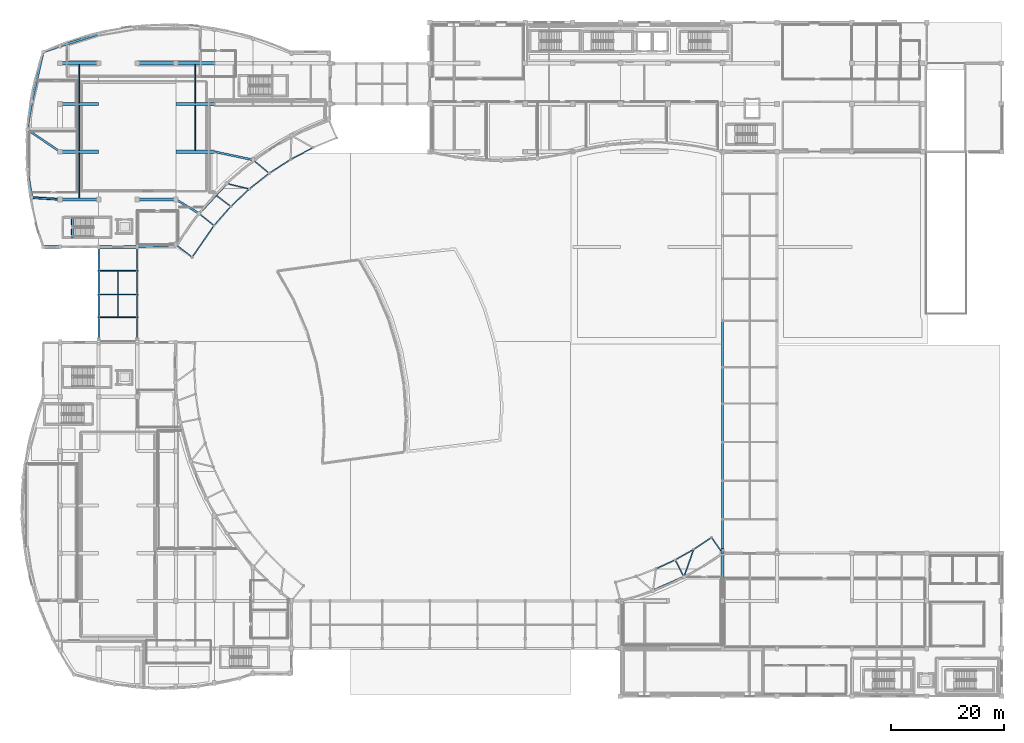
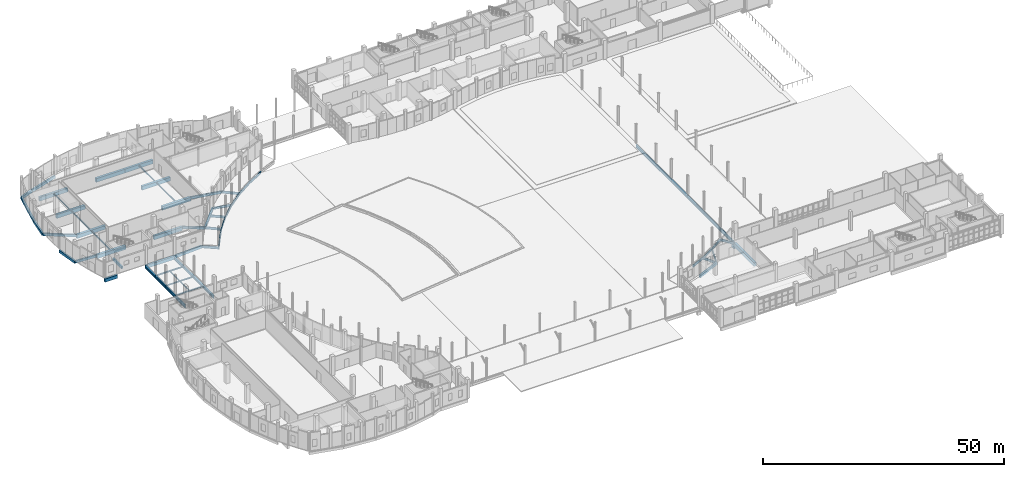
# One storey, part 27 of 97: 67 beams.
"""IFC4 building model written with IfcOpenShell, lengths in metres."""

from ifc_helpers import new_model, si_unit, direction, frame, origin, origin_2d, place, context, subcontext, project, spatial, rectangle, i_section, extrude, material, material_profile, profile_set, type_object, element, save


model = new_model("IFC4")

# Units and contexts
model_context = context("Model", 3, precision=1e-05, world=origin(), true_north=direction((0.0, 1.0)))
body_context = subcontext(model_context, "Body", "Model", "MODEL_VIEW")
ifc_project = project(units=[si_unit("LENGTHUNIT", "METRE"), si_unit("AREAUNIT", "SQUARE_METRE"), si_unit("VOLUMEUNIT", "CUBIC_METRE"), si_unit("PLANEANGLEUNIT", "RADIAN"), si_unit("MASSUNIT", "GRAM", prefix="KILO")], contexts=[model_context])

# Site, building, storey
site_placement = place(None, origin())
site = spatial("IfcSite", under=ifc_project, at=site_placement, CompositionType="ELEMENT")
building_placement = place(site_placement, origin())
building = spatial("IfcBuilding", under=site, at=building_placement, Name="Kisaragi Civic Commons", CompositionType="ELEMENT")
storey_placement = place(building_placement, origin())
storey = spatial("IfcBuildingStorey", under=building, at=storey_placement, Name="L00", CompositionType="ELEMENT", Elevation=0.0)

# Beams
ifc_material_1 = material(Name="Concrete Fc36", Category="concrete")
ifc_material_profile_1 = material_profile(ifc_material_1, rectangle(XDim=0.550048828125, YDim=0.85009765625, at=origin_2d()), Name="RC-550x850", Category="concrete")
ifc_profile_set_1 = profile_set([ifc_material_profile_1], Name="Concrete Fc36")
beam_type_1 = type_object("IfcBeamType", Name="CB-01", PredefinedType="BEAM", material=ifc_profile_set_1)
beam_1_placement = place(storey_placement, frame((123.60009765625, 25.199951171875, -1.530029296875), z_axis=(0.0, 1.0, 0.0), x_axis=(-1.0, 0.0, 0.0)))
element("IfcBeam", 1, at=beam_1_placement, inside=storey, type_object=beam_type_1, Name="BR-V4-V3 L00 seismic corbel 101", PredefinedType="BEAM", context=body_context, shape_type="SweptSolid", body=[
    extrude(rectangle(XDim=0.550048828125, YDim=0.85009765625, at=origin_2d()), origin(), (0.0, 0.0, 1.0), 0.8701171875),
])
ifc_material_profile_2 = material_profile(ifc_material_1, rectangle(XDim=0.550048828125, YDim=0.949951171875, at=origin_2d()), Name="RC-550x950", Category="concrete")
ifc_profile_set_2 = profile_set([ifc_material_profile_2], Name="Concrete Fc36")
beam_type_2 = type_object("IfcBeamType", Name="G-01", PredefinedType="BEAM", material=ifc_profile_set_2)
for number, where, z_axis, x_axis, name in (
    (2, (6.800048828125, 87.60009765625, -0.800048828125), (1.0, 0.0, 0.0), (0.0, 1.0, 0.0), "L00 girder G-01 56"),
    (3, (20.39990234375, 87.60009765625, -0.800048828125), (1.0, 0.0, 0.0), (0.0, 1.0, 0.0), "L00 girder G-01 57"),
    (4, (6.800048828125, 96.0, -0.800048828125), (1.0, 0.0, 0.0), (0.0, 1.0, 0.0), "L00 girder G-01 58"),
    (5, (27.199951171875, 96.0, -0.800048828125), (1.0, 0.0, 0.0), (0.0, 1.0, 0.0), "L00 girder G-01 59"),
    (6, (6.800048828125, 104.39990234375, -0.800048828125), (1.0, 0.0, 0.0), (0.0, 1.0, 0.0), "L00 girder G-01 60"),
    (7, (27.199951171875, 104.39990234375, -0.800048828125), (1.0, 0.0, 0.0), (0.0, 1.0, 0.0), "L00 girder G-01 61"),
    (8, (6.800048828125, 111.60009765625, -0.800048828125), (1.0, 0.0, 0.0), (0.0, 1.0, 0.0), "L00 girder G-01 65"),
    (9, (20.39990234375, 111.60009765625, -0.800048828125), (1.0, 0.0, 0.0), (0.0, 1.0, 0.0), "L00 girder G-01 66"),
    (10, (27.199951171875, 111.60009765625, -0.800048828125), (1.0, 0.0, 0.0), (0.0, 1.0, 0.0), "L00 girder G-01 67"),
):
    element("IfcBeam", number, at=place(storey_placement, frame(where, z_axis=z_axis, x_axis=x_axis)), inside=storey, type_object=beam_type_2, Name=name, PredefinedType="BEAM", context=body_context, shape_type="SweptSolid", body=[
        extrude(rectangle(XDim=0.550048828125, YDim=0.949951171875, at=origin_2d()), origin(), (0.0, 0.0, 1.0), 6.800048828125),
    ])
beam_2_placement = place(storey_placement, frame((123.60009765625, 16.800048828125, -0.800048828125), z_axis=(0.0, 1.0, 0.0), x_axis=(-1.0, 0.0, 0.0)))
element("IfcBeam", 11, at=beam_2_placement, inside=storey, type_object=beam_type_2, Name="L00 girder G-01 101", PredefinedType="BEAM", context=body_context, shape_type="SweptSolid", body=[
    extrude(rectangle(XDim=0.550048828125, YDim=0.949951171875, at=origin_2d()), origin(), (0.0, 0.0, 1.0), 8.39990234375),
])
ifc_material_2 = material(Name="Steel SN490 (SN490B)", Category="steel")
ifc_material_profile_3 = material_profile(ifc_material_2, i_section(OverallWidth=0.300048828125, OverallDepth=0.699951171875, WebThickness=0.012939453125, FlangeThickness=0.02392578125, FilletRadius=0.01806640625, at=origin_2d()), Name="H-700x300x13x24", Category="steel")
ifc_profile_set_3 = profile_set([ifc_material_profile_3], Name="Steel SN490 (SN490B)")
beam_type_3 = type_object("IfcBeamType", Name="G-09", PredefinedType="BEAM", material=ifc_profile_set_3)
for number, where, z_axis, x_axis, name in (
    (12, (13.60009765625, 79.199951171875, -0.68994140625), (0.0, -1.0, 0.0), (1.0, 0.0, 0.0), "BR-V2-V1 L00 bridge girder 46"),
    (13, (13.60009765625, 75.0, -0.68994140625), (0.0, -1.0, 0.0), (1.0, 0.0, 0.0), "BR-V2-V1 L00 bridge girder 47"),
):
    element("IfcBeam", number, at=place(storey_placement, frame(where, z_axis=z_axis, x_axis=x_axis)), inside=storey, type_object=beam_type_3, Name=name, PredefinedType="BEAM", context=body_context, shape_type="SweptSolid", body=[
        extrude(i_section(OverallWidth=0.300048828125, OverallDepth=0.699951171875, WebThickness=0.012939453125, FlangeThickness=0.02392578125, FilletRadius=0.01806640625, at=origin_2d()), origin(), (0.0, 0.0, 1.0), 4.199951171875),
    ])
beam_3_placement = place(storey_placement, frame((13.60009765625, 70.800048828125, -0.68994140625), z_axis=(0.0, -1.0, 0.0), x_axis=(1.0, 0.0, 0.0)))
element("IfcBeam", 14, at=beam_3_placement, inside=storey, type_object=beam_type_3, Name="BR-V2-V1 L00 bridge girder 48", PredefinedType="BEAM", context=body_context, shape_type="SweptSolid", body=[
    extrude(i_section(OverallWidth=0.300048828125, OverallDepth=0.699951171875, WebThickness=0.012939453125, FlangeThickness=0.02392578125, FilletRadius=0.01806640625, at=origin_2d()), origin(), (0.0, 0.0, 1.0), 4.0),
])
beam_4_placement = place(storey_placement, frame((13.60009765625, 66.800048828125, -0.68994140625), z_axis=(0.0, -1.0, 0.0), x_axis=(1.0, 0.0, 0.0)))
element("IfcBeam", 15, at=beam_4_placement, inside=storey, type_object=beam_type_3, Name="BR-V2-V1 L00 bridge girder 49", PredefinedType="BEAM", context=body_context, shape_type="SweptSolid", body=[
    extrude(i_section(OverallWidth=0.300048828125, OverallDepth=0.699951171875, WebThickness=0.012939453125, FlangeThickness=0.02392578125, FilletRadius=0.01806640625, at=origin_2d()), origin(), (0.0, 0.0, 1.0), 4.25),
])
for number, where, z_axis, x_axis, name in (
    (16, (20.39990234375, 79.199951171875, -0.68994140625), (0.0, -1.0, 0.0), (1.0, 0.0, 0.0), "BR-V2-V1 L00 bridge girder 51"),
    (17, (20.39990234375, 75.0, -0.68994140625), (0.0, -1.0, 0.0), (1.0, 0.0, 0.0), "BR-V2-V1 L00 bridge girder 52"),
):
    element("IfcBeam", number, at=place(storey_placement, frame(where, z_axis=z_axis, x_axis=x_axis)), inside=storey, type_object=beam_type_3, Name=name, PredefinedType="BEAM", context=body_context, shape_type="SweptSolid", body=[
        extrude(i_section(OverallWidth=0.300048828125, OverallDepth=0.699951171875, WebThickness=0.012939453125, FlangeThickness=0.02392578125, FilletRadius=0.01806640625, at=origin_2d()), origin(), (0.0, 0.0, 1.0), 4.199951171875),
    ])
beam_5_placement = place(storey_placement, frame((20.39990234375, 70.800048828125, -0.68994140625), z_axis=(0.0, -1.0, 0.0), x_axis=(1.0, 0.0, 0.0)))
element("IfcBeam", 18, at=beam_5_placement, inside=storey, type_object=beam_type_3, Name="BR-V2-V1 L00 bridge girder 53", PredefinedType="BEAM", context=body_context, shape_type="SweptSolid", body=[
    extrude(i_section(OverallWidth=0.300048828125, OverallDepth=0.699951171875, WebThickness=0.012939453125, FlangeThickness=0.02392578125, FilletRadius=0.01806640625, at=origin_2d()), origin(), (0.0, 0.0, 1.0), 4.0),
])
beam_6_placement = place(storey_placement, frame((20.39990234375, 66.800048828125, -0.68994140625), z_axis=(0.0, -1.0, 0.0), x_axis=(1.0, 0.0, 0.0)))
element("IfcBeam", 19, at=beam_6_placement, inside=storey, type_object=beam_type_3, Name="BR-V2-V1 L00 bridge girder 54", PredefinedType="BEAM", context=body_context, shape_type="SweptSolid", body=[
    extrude(i_section(OverallWidth=0.300048828125, OverallDepth=0.699951171875, WebThickness=0.012939453125, FlangeThickness=0.02392578125, FilletRadius=0.01806640625, at=origin_2d()), origin(), (0.0, 0.0, 1.0), 4.25),
])
beam_7_placement = place(storey_placement, frame((123.60009765625, 66.199951171875, -0.68994140625), z_axis=(0.0, -1.0, 0.0), x_axis=(1.0, 0.0, 0.0)))
element("IfcBeam", 20, at=beam_7_placement, inside=storey, type_object=beam_type_3, Name="BR-V4-V3 L00 bridge girder 95", PredefinedType="BEAM", context=body_context, shape_type="SweptSolid", body=[
    extrude(i_section(OverallWidth=0.300048828125, OverallDepth=0.699951171875, WebThickness=0.012939453125, FlangeThickness=0.02392578125, FilletRadius=0.01806640625, at=origin_2d()), origin(), (0.0, 0.0, 1.0), 8.199951171875),
])
beam_8_placement = place(storey_placement, frame((123.60009765625, 58.0, -0.68994140625), z_axis=(0.0, -1.0, 0.0), x_axis=(1.0, 0.0, 0.0)))
element("IfcBeam", 21, at=beam_8_placement, inside=storey, type_object=beam_type_3, Name="BR-V4-V3 L00 bridge girder 96", PredefinedType="BEAM", context=body_context, shape_type="SweptSolid", body=[
    extrude(i_section(OverallWidth=0.300048828125, OverallDepth=0.699951171875, WebThickness=0.012939453125, FlangeThickness=0.02392578125, FilletRadius=0.01806640625, at=origin_2d()), origin(), (0.0, 0.0, 1.0), 6.39990234375),
])
for number, where, z_axis, x_axis, name in (
    (22, (123.60009765625, 51.60009765625, -0.68994140625), (0.0, -1.0, 0.0), (1.0, 0.0, 0.0), "BR-V4-V3 L00 bridge girder 97"),
    (23, (123.60009765625, 44.800048828125, -0.68994140625), (0.0, -1.0, 0.0), (1.0, 0.0, 0.0), "BR-V4-V3 L00 bridge girder 98"),
    (24, (123.60009765625, 38.0, -0.68994140625), (0.0, -1.0, 0.0), (1.0, 0.0, 0.0), "BR-V4-V3 L00 bridge girder 99"),
):
    element("IfcBeam", number, at=place(storey_placement, frame(where, z_axis=z_axis, x_axis=x_axis)), inside=storey, type_object=beam_type_3, Name=name, PredefinedType="BEAM", context=body_context, shape_type="SweptSolid", body=[
        extrude(i_section(OverallWidth=0.300048828125, OverallDepth=0.699951171875, WebThickness=0.012939453125, FlangeThickness=0.02392578125, FilletRadius=0.01806640625, at=origin_2d()), origin(), (0.0, 0.0, 1.0), 6.800048828125),
    ])
beam_9_placement = place(storey_placement, frame((123.60009765625, 31.199951171875, -0.68994140625), z_axis=(0.0, -1.0, 0.0), x_axis=(1.0, 0.0, 0.0)))
element("IfcBeam", 25, at=beam_9_placement, inside=storey, type_object=beam_type_3, Name="BR-V4-V3 L00 bridge girder 100", PredefinedType="BEAM", context=body_context, shape_type="SweptSolid", body=[
    extrude(i_section(OverallWidth=0.300048828125, OverallDepth=0.699951171875, WebThickness=0.012939453125, FlangeThickness=0.02392578125, FilletRadius=0.01806640625, at=origin_2d()), origin(), (0.0, 0.0, 1.0), 5.849853515625),
])
ifc_material_profile_4 = material_profile(ifc_material_2, i_section(OverallWidth=0.199951171875, OverallDepth=0.60009765625, WebThickness=0.010986328125, FlangeThickness=0.01708984375, FilletRadius=0.012939453125, at=origin_2d()), Name="H-600x200x11x17", Category="steel")
ifc_profile_set_4 = profile_set([ifc_material_profile_4], Name="Steel SN490 (SN490B)")
beam_type_4 = type_object("IfcBeamType", Name="G-10", PredefinedType="BEAM", material=ifc_profile_set_4)
beam_10_placement = place(storey_placement, frame((51.401611328125, 96.698486328125, -0.639892578125), z_axis=(-0.886292072289, -0.463126724125, 0.0), x_axis=(0.463126724125, -0.886292072289, 0.0)))
element("IfcBeam", 26, at=beam_10_placement, inside=storey, type_object=beam_type_4, Name="VER-V2 L00 edge beam 48", PredefinedType="BEAM", context=body_context, shape_type="SweptSolid", body=[
    extrude(i_section(OverallWidth=0.199951171875, OverallDepth=0.60009765625, WebThickness=0.010986328125, FlangeThickness=0.01708984375, FilletRadius=0.012939453125, at=origin_2d()), origin(), (0.0, 0.0, 1.0), 4.478271484375),
])
for number, where, z_axis, x_axis, name in (
    (27, (47.4326171875, 94.62451171875, -0.639892578125), (-0.83990787483, -0.542728994803, 0.0), (0.542728994803, -0.83990787483, 0.0), "VER-V2 L00 edge beam 49"),
    (28, (43.67138671875, 92.194091796875, -0.639892578125), (-0.786375089797, -0.61774931659, 0.0), (0.61774931659, -0.786375089797, 0.0), "VER-V2 L00 edge beam 50"),
):
    element("IfcBeam", number, at=place(storey_placement, frame(where, z_axis=z_axis, x_axis=x_axis)), inside=storey, type_object=beam_type_4, Name=name, PredefinedType="BEAM", context=body_context, shape_type="SweptSolid", body=[
        extrude(i_section(OverallWidth=0.199951171875, OverallDepth=0.60009765625, WebThickness=0.010986328125, FlangeThickness=0.01708984375, FilletRadius=0.012939453125, at=origin_2d()), origin(), (0.0, 0.0, 1.0), 4.47802734375),
    ])
beam_11_placement = place(storey_placement, frame((40.14990234375, 89.427734375, -0.639892578125), z_axis=(-0.726170414707, -0.687514748063, 0.0), x_axis=(0.687514748063, -0.726170414707, 0.0)))
element("IfcBeam", 29, at=beam_11_placement, inside=storey, type_object=beam_type_4, Name="VER-V2 L00 edge beam 51", PredefinedType="BEAM", context=body_context, shape_type="SweptSolid", body=[
    extrude(i_section(OverallWidth=0.199951171875, OverallDepth=0.60009765625, WebThickness=0.010986328125, FlangeThickness=0.01708984375, FilletRadius=0.012939453125, at=origin_2d()), origin(), (0.0, 0.0, 1.0), 4.477783203125),
])
beam_12_placement = place(storey_placement, frame((36.898193359375, 86.34912109375, -0.639892578125), z_axis=(-0.659769637877, -0.751467913444, 0.0), x_axis=(0.751467913444, -0.659769637877, 0.0)))
element("IfcBeam", 30, at=beam_12_placement, inside=storey, type_object=beam_type_4, Name="VER-V2 L00 edge beam 52", PredefinedType="BEAM", context=body_context, shape_type="SweptSolid", body=[
    extrude(i_section(OverallWidth=0.199951171875, OverallDepth=0.60009765625, WebThickness=0.010986328125, FlangeThickness=0.01708984375, FilletRadius=0.012939453125, at=origin_2d()), origin(), (0.0, 0.0, 1.0), 4.478271484375),
])
beam_13_placement = place(storey_placement, frame((33.943603515625, 82.98388671875, -0.639892578125), z_axis=(-0.56851635681, -0.822671958948, 0.0), x_axis=(0.822671958948, -0.56851635681, 0.0)))
element("IfcBeam", 31, at=beam_13_placement, inside=storey, type_object=beam_type_4, Name="VER-V2 L00 edge beam 53", PredefinedType="BEAM", context=body_context, shape_type="SweptSolid", body=[
    extrude(i_section(OverallWidth=0.199951171875, OverallDepth=0.60009765625, WebThickness=0.010986328125, FlangeThickness=0.01708984375, FilletRadius=0.012939453125, at=origin_2d()), origin(), (0.0, 0.0, 1.0), 6.79248046875),
])
beam_14_placement = place(storey_placement, frame((43.67138671875, 92.194091796875, -0.639892578125), z_axis=(-0.771077909259, 0.636740809006, 0.0), x_axis=(-0.636740809006, -0.771077909259, 0.0)))
element("IfcBeam", 32, at=beam_14_placement, inside=storey, type_object=beam_type_4, Name="VER-V2 L00 radial tie 57", PredefinedType="BEAM", context=body_context, shape_type="SweptSolid", body=[
    extrude(i_section(OverallWidth=0.199951171875, OverallDepth=0.60009765625, WebThickness=0.010986328125, FlangeThickness=0.01708984375, FilletRadius=0.012939453125, at=origin_2d()), origin(), (0.0, 0.0, 1.0), 3.723876953125),
])
beam_15_placement = place(storey_placement, frame((40.14990234375, 89.427734375, -0.639892578125), z_axis=(-0.971981302183, 0.235058180472, 0.0), x_axis=(-0.235058180472, -0.971981302183, 0.0)))
element("IfcBeam", 33, at=beam_15_placement, inside=storey, type_object=beam_type_4, Name="VER-V2 L00 radial tie 58", PredefinedType="BEAM", context=body_context, shape_type="SweptSolid", body=[
    extrude(i_section(OverallWidth=0.199951171875, OverallDepth=0.60009765625, WebThickness=0.010986328125, FlangeThickness=0.01708984375, FilletRadius=0.012939453125, at=origin_2d()), origin(), (0.0, 0.0, 1.0), 4.114013671875),
])
beam_16_placement = place(storey_placement, frame((36.898193359375, 86.34912109375, -0.639892578125), z_axis=(-0.797162664184, 0.603764595542, 0.0), x_axis=(-0.603764595542, -0.797162664184, 0.0)))
element("IfcBeam", 34, at=beam_16_placement, inside=storey, type_object=beam_type_4, Name="VER-V2 L00 radial tie 59", PredefinedType="BEAM", context=body_context, shape_type="SweptSolid", body=[
    extrude(i_section(OverallWidth=0.199951171875, OverallDepth=0.60009765625, WebThickness=0.010986328125, FlangeThickness=0.01708984375, FilletRadius=0.012939453125, at=origin_2d()), origin(), (0.0, 0.0, 1.0), 3.6357421875),
])
beam_17_placement = place(storey_placement, frame((33.943603515625, 82.98388671875, -0.639892578125), z_axis=(-0.780994885585, 0.624537419768, 0.0), x_axis=(-0.624537419768, -0.780994885585, 0.0)))
element("IfcBeam", 35, at=beam_17_placement, inside=storey, type_object=beam_type_4, Name="VER-V2 L00 radial tie 60", PredefinedType="BEAM", context=body_context, shape_type="SweptSolid", body=[
    extrude(i_section(OverallWidth=0.199951171875, OverallDepth=0.60009765625, WebThickness=0.010986328125, FlangeThickness=0.01708984375, FilletRadius=0.012939453125, at=origin_2d()), origin(), (0.0, 0.0, 1.0), 3.400146484375),
])
beam_18_placement = place(storey_placement, frame((30.08203125, 77.39599609375, -0.639892578125), z_axis=(-0.792421819089, 0.609973491746, 0.0), x_axis=(-0.609973491746, -0.792421819089, 0.0)))
element("IfcBeam", 36, at=beam_18_placement, inside=storey, type_object=beam_type_4, Name="VER-V2 L00 radial tie 61", PredefinedType="BEAM", context=body_context, shape_type="SweptSolid", body=[
    extrude(i_section(OverallWidth=0.199951171875, OverallDepth=0.60009765625, WebThickness=0.010986328125, FlangeThickness=0.01708984375, FilletRadius=0.012939453125, at=origin_2d()), origin(), (0.0, 0.0, 1.0), 3.636962890625),
])
for number, where, z_axis, x_axis, name in (
    (37, (111.859619140625, 22.456298828125, -0.639892578125), (0.906168110027, 0.422917670913, 0.0), (-0.422917670913, 0.906168110027, 0.0), "VER-V3 L00 edge beam 79"),
    (38, (115.244140625, 24.035888671875, -0.639892578125), (0.8710250852, 0.491238537732, 0.0), (-0.491238537732, 0.8710250852, 0.0), "VER-V3 L00 edge beam 80"),
):
    element("IfcBeam", number, at=place(storey_placement, frame(where, z_axis=z_axis, x_axis=x_axis)), inside=storey, type_object=beam_type_4, Name=name, PredefinedType="BEAM", context=body_context, shape_type="SweptSolid", body=[
        extrude(i_section(OverallWidth=0.199951171875, OverallDepth=0.60009765625, WebThickness=0.010986328125, FlangeThickness=0.01708984375, FilletRadius=0.012939453125, at=origin_2d()), origin(), (0.0, 0.0, 1.0), 3.73486328125),
    ])
beam_19_placement = place(storey_placement, frame((118.497314453125, 25.87060546875, -0.639892578125), z_axis=(0.83047546089, 0.557055211679, 0.0), x_axis=(-0.557055211679, 0.83047546089, 0.0)))
element("IfcBeam", 39, at=beam_19_placement, inside=storey, type_object=beam_type_4, Name="VER-V3 L00 edge beam 81", PredefinedType="BEAM", context=body_context, shape_type="SweptSolid", body=[
    extrude(i_section(OverallWidth=0.199951171875, OverallDepth=0.60009765625, WebThickness=0.010986328125, FlangeThickness=0.01708984375, FilletRadius=0.012939453125, at=origin_2d()), origin(), (0.0, 0.0, 1.0), 3.80029296875),
])
beam_20_placement = place(storey_placement, frame((115.244140625, 24.035888671875, -0.639892578125), z_axis=(0.457380460082, -0.889271114304, 0.0), x_axis=(0.889271114304, 0.457380460082, 0.0)))
element("IfcBeam", 40, at=beam_20_placement, inside=storey, type_object=beam_type_4, Name="VER-V3 L00 radial tie 85", PredefinedType="BEAM", context=body_context, shape_type="SweptSolid", body=[
    extrude(i_section(OverallWidth=0.199951171875, OverallDepth=0.60009765625, WebThickness=0.010986328125, FlangeThickness=0.01708984375, FilletRadius=0.012939453125, at=origin_2d()), origin(), (0.0, 0.0, 1.0), 3.400146484375),
])
beam_21_placement = place(storey_placement, frame((118.497314453125, 25.87060546875, -0.639892578125), z_axis=(-0.329927785858, -0.944006173771, 0.0), x_axis=(0.944006173771, -0.329927785858, 0.0)))
element("IfcBeam", 41, at=beam_21_placement, inside=storey, type_object=beam_type_4, Name="VER-V3 L00 radial tie 86", PredefinedType="BEAM", context=body_context, shape_type="SweptSolid", body=[
    extrude(i_section(OverallWidth=0.199951171875, OverallDepth=0.60009765625, WebThickness=0.010986328125, FlangeThickness=0.01708984375, FilletRadius=0.012939453125, at=origin_2d()), origin(), (0.0, 0.0, 1.0), 5.146484375),
])
beam_22_placement = place(storey_placement, frame((121.6533203125, 27.987548828125, -0.639892578125), z_axis=(0.572565655002, -0.819858872436, 0.0), x_axis=(0.819858872436, 0.572565655002, 0.0)))
element("IfcBeam", 42, at=beam_22_placement, inside=storey, type_object=beam_type_4, Name="VER-V3 L00 radial tie 87", PredefinedType="BEAM", context=body_context, shape_type="SweptSolid", body=[
    extrude(i_section(OverallWidth=0.199951171875, OverallDepth=0.60009765625, WebThickness=0.010986328125, FlangeThickness=0.01708984375, FilletRadius=0.012939453125, at=origin_2d()), origin(), (0.0, 0.0, 1.0), 3.400146484375),
])
ifc_material_3 = material(Name="Concrete Fc30", Category="concrete")
ifc_material_profile_5 = material_profile(ifc_material_3, rectangle(XDim=0.35009765625, YDim=0.60009765625, at=origin_2d()), Name="RC-350x600", Category="concrete")
ifc_profile_set_5 = profile_set([ifc_material_profile_5], Name="Concrete Fc30")
beam_type_5 = type_object("IfcBeamType", Name="G-14", PredefinedType="BEAM", material=ifc_profile_set_5)
beam_23_placement = place(storey_placement, frame((40.800048828125, 94.565185546875, -0.625), z_axis=(-0.978456130219, 0.206454840674, 0.0), x_axis=(-0.206454840674, -0.978456130219, 0.0)))
element("IfcBeam", 43, at=beam_23_placement, inside=storey, type_object=beam_type_5, Name="L00 curved wall tie beam 74", PredefinedType="BEAM", context=body_context, shape_type="SweptSolid", body=[
    extrude(rectangle(XDim=0.35009765625, YDim=0.60009765625, at=origin_2d()), origin(), (0.0, 0.0, 1.0), 6.94970703125),
])
beam_24_placement = place(storey_placement, frame((31.2880859375, 85.107421875, -0.625), z_axis=(-0.853804467417, 0.520593825759, 0.0), x_axis=(-0.520593825759, -0.853804467417, 0.0)))
element("IfcBeam", 44, at=beam_24_placement, inside=storey, type_object=beam_type_5, Name="L00 curved wall tie beam 76", PredefinedType="BEAM", context=body_context, shape_type="SweptSolid", body=[
    extrude(rectangle(XDim=0.35009765625, YDim=0.60009765625, at=origin_2d()), origin(), (0.0, 0.0, 1.0), 4.7880859375),
])
beam_25_placement = place(storey_placement, frame((0.9912109375, 99.9033203125, -0.625), z_axis=(0.83001603955, -0.557739521722, 0.0), x_axis=(0.557739521722, 0.83001603955, 0.0)))
element("IfcBeam", 45, at=beam_25_placement, inside=storey, type_object=beam_type_5, Name="L00 curved wall tie beam 79", PredefinedType="BEAM", context=body_context, shape_type="SweptSolid", body=[
    extrude(rectangle(XDim=0.35009765625, YDim=0.60009765625, at=origin_2d()), origin(), (0.0, 0.0, 1.0), 6.99853515625),
])
beam_26_placement = place(storey_placement, frame((1.800048828125, 87.916259765625, -0.625), z_axis=(0.998006805525, -0.063106387361, 0.0), x_axis=(0.063106387361, 0.998006805525, 0.0)))
element("IfcBeam", 46, at=beam_26_placement, inside=storey, type_object=beam_type_5, Name="L00 curved wall tie beam 81", PredefinedType="BEAM", context=body_context, shape_type="SweptSolid", body=[
    extrude(rectangle(XDim=0.35009765625, YDim=0.60009765625, at=origin_2d()), origin(), (0.0, 0.0, 1.0), 5.010009765625),
])
beam_27_placement = place(storey_placement, frame((8.949951171875, 80.85009765625, -0.300048828125), z_axis=(0.0, 1.0, 0.0), x_axis=(-1.0, 0.0, 0.0)))
element("IfcBeam", 47, at=beam_27_placement, inside=storey, type_object=beam_type_5, Name="ST-S1 L00 stair landing trimmer beam", PredefinedType="BEAM", context=body_context, shape_type="SweptSolid", body=[
    extrude(rectangle(XDim=0.35009765625, YDim=0.60009765625, at=origin_2d()), origin(), (0.0, 0.0, 1.0), 3.599853515625),
])
ifc_material_4 = material(Name="Steel SN400 (SN400B)", Category="steel")
ifc_material_profile_6 = material_profile(ifc_material_4, i_section(OverallWidth=0.175048828125, OverallDepth=0.35009765625, WebThickness=0.007080078125, FlangeThickness=0.010986328125, FilletRadius=0.012939453125, at=origin_2d()), Name="H-350x175x7x11", Category="steel")
ifc_profile_set_6 = profile_set([ifc_material_profile_6], Name="Steel SN400 (SN400B)")
beam_type_6 = type_object("IfcBeamType", Name="J-02", PredefinedType="JOIST", material=ifc_profile_set_6)
for number, where, z_axis, x_axis, name in (
    (48, (10.199951171875, 87.875, -0.5), (0.0, 1.0, 0.0), (-1.0, 0.0, 0.0), "L00 secondary steel joist J-02 11"),
    (49, (10.199951171875, 96.27490234375, -0.5), (0.0, 1.0, 0.0), (-1.0, 0.0, 0.0), "L00 secondary steel joist J-02 12"),
):
    element("IfcBeam", number, at=place(storey_placement, frame(where, z_axis=z_axis, x_axis=x_axis)), inside=storey, type_object=beam_type_6, Name=name, PredefinedType="JOIST", context=body_context, shape_type="SweptSolid", body=[
        extrude(i_section(OverallWidth=0.175048828125, OverallDepth=0.35009765625, WebThickness=0.007080078125, FlangeThickness=0.010986328125, FilletRadius=0.012939453125, at=origin_2d()), origin(), (0.0, 0.0, 1.0), 7.85009765625),
    ])
beam_28_placement = place(storey_placement, frame((10.199951171875, 104.675048828125, -0.5), z_axis=(0.0, 1.0, 0.0), x_axis=(-1.0, 0.0, 0.0)))
element("IfcBeam", 50, at=beam_28_placement, inside=storey, type_object=beam_type_6, Name="L00 secondary steel joist J-02 13", PredefinedType="JOIST", context=body_context, shape_type="SweptSolid", body=[
    extrude(i_section(OverallWidth=0.175048828125, OverallDepth=0.35009765625, WebThickness=0.007080078125, FlangeThickness=0.010986328125, FilletRadius=0.012939453125, at=origin_2d()), origin(), (0.0, 0.0, 1.0), 6.64990234375),
])
beam_29_placement = place(storey_placement, frame((30.60009765625, 96.27490234375, -0.5), z_axis=(0.0, 1.0, 0.0), x_axis=(-1.0, 0.0, 0.0)))
element("IfcBeam", 51, at=beam_29_placement, inside=storey, type_object=beam_type_6, Name="L00 secondary steel joist J-02 14", PredefinedType="JOIST", context=body_context, shape_type="SweptSolid", body=[
    extrude(i_section(OverallWidth=0.175048828125, OverallDepth=0.35009765625, WebThickness=0.007080078125, FlangeThickness=0.010986328125, FilletRadius=0.012939453125, at=origin_2d()), origin(), (0.0, 0.0, 1.0), 7.85009765625),
])
beam_30_placement = place(storey_placement, frame((30.60009765625, 104.675048828125, -0.5), z_axis=(0.0, 1.0, 0.0), x_axis=(-1.0, 0.0, 0.0)))
element("IfcBeam", 52, at=beam_30_placement, inside=storey, type_object=beam_type_6, Name="L00 secondary steel joist J-02 15", PredefinedType="JOIST", context=body_context, shape_type="SweptSolid", body=[
    extrude(i_section(OverallWidth=0.175048828125, OverallDepth=0.35009765625, WebThickness=0.007080078125, FlangeThickness=0.010986328125, FilletRadius=0.012939453125, at=origin_2d()), origin(), (0.0, 0.0, 1.0), 6.64990234375),
])
ifc_material_profile_7 = material_profile(ifc_material_4, i_section(OverallWidth=0.125, OverallDepth=0.25, WebThickness=0.006103515625, FlangeThickness=0.009033203125, FilletRadius=0.008056640625, at=origin_2d()), Name="H-250x125x6x9", Category="steel")
ifc_profile_set_7 = profile_set([ifc_material_profile_7], Name="Steel SN400 (SN400B)")
beam_type_7 = type_object("IfcBeamType", Name="J-05", PredefinedType="JOIST", material=ifc_profile_set_7)
for number, where, z_axis, x_axis, name in (
    (53, (13.60009765625, 75.0, -0.465087890625), (1.0, 0.0, 0.0), (0.0, 1.0, 0.0), "BR-V2-V1 L00 cross joist 56"),
    (54, (13.60009765625, 70.800048828125, -0.465087890625), (1.0, 0.0, 0.0), (0.0, 1.0, 0.0), "BR-V2-V1 L00 cross joist 57"),
    (55, (13.60009765625, 66.800048828125, -0.465087890625), (1.0, 0.0, 0.0), (0.0, 1.0, 0.0), "BR-V2-V1 L00 cross joist 58"),
):
    element("IfcBeam", number, at=place(storey_placement, frame(where, z_axis=z_axis, x_axis=x_axis)), inside=storey, type_object=beam_type_7, Name=name, PredefinedType="JOIST", context=body_context, shape_type="SweptSolid", body=[
        extrude(i_section(OverallWidth=0.125, OverallDepth=0.25, WebThickness=0.006103515625, FlangeThickness=0.009033203125, FilletRadius=0.008056640625, at=origin_2d()), origin(), (0.0, 0.0, 1.0), 6.7998046875),
    ])
beam_31_placement = place(storey_placement, frame((17.0, 74.9375, -0.465087890625), z_axis=(0.0, -1.0, 0.0), x_axis=(1.0, 0.0, 0.0)))
element("IfcBeam", 56, at=beam_31_placement, inside=storey, type_object=beam_type_7, Name="BR-V2-V1 L00 spine joist 59", PredefinedType="JOIST", context=body_context, shape_type="SweptSolid", body=[
    extrude(i_section(OverallWidth=0.125, OverallDepth=0.25, WebThickness=0.006103515625, FlangeThickness=0.009033203125, FilletRadius=0.008056640625, at=origin_2d()), origin(), (0.0, 0.0, 1.0), 4.074951171875),
])
beam_32_placement = place(storey_placement, frame((17.0, 70.737548828125, -0.465087890625), z_axis=(0.0, -1.0, 0.0), x_axis=(1.0, 0.0, 0.0)))
element("IfcBeam", 57, at=beam_32_placement, inside=storey, type_object=beam_type_7, Name="BR-V2-V1 L00 spine joist 60", PredefinedType="JOIST", context=body_context, shape_type="SweptSolid", body=[
    extrude(i_section(OverallWidth=0.125, OverallDepth=0.25, WebThickness=0.006103515625, FlangeThickness=0.009033203125, FilletRadius=0.008056640625, at=origin_2d()), origin(), (0.0, 0.0, 1.0), 3.875),
])
ifc_material_profile_8 = material_profile(ifc_material_3, rectangle(XDim=0.449951171875, YDim=0.800048828125, at=origin_2d()), Name="RC-450x800", Category="concrete")
ifc_profile_set_8 = profile_set([ifc_material_profile_8], Name="Concrete Fc30")
beam_type_8 = type_object("IfcBeamType", Name="SPB-01", PredefinedType="SPANDREL", material=ifc_profile_set_8)
beam_33_placement = place(storey_placement, frame((3.800048828125, 79.199951171875, -0.72509765625), z_axis=(1.0, 0.0, 0.0), x_axis=(0.0, 1.0, 0.0)))
element("IfcBeam", 58, at=beam_33_placement, inside=storey, type_object=beam_type_8, Name="L00 girder SPB-01 54", PredefinedType="SPANDREL", context=body_context, shape_type="SweptSolid", body=[
    extrude(rectangle(XDim=0.449951171875, YDim=0.800048828125, at=origin_2d()), origin(), (0.0, 0.0, 1.0), 3.0),
])
beam_34_placement = place(storey_placement, frame((13.60009765625, 79.199951171875, -0.72509765625), z_axis=(1.0, 0.0, 0.0), x_axis=(0.0, 1.0, 0.0)))
element("IfcBeam", 59, at=beam_34_placement, inside=storey, type_object=beam_type_8, Name="L00 girder SPB-01 55", PredefinedType="SPANDREL", context=body_context, shape_type="SweptSolid", body=[
    extrude(rectangle(XDim=0.449951171875, YDim=0.800048828125, at=origin_2d()), origin(), (0.0, 0.0, 1.0), 6.7998046875),
])
ifc_material_profile_9 = material_profile(ifc_material_3, rectangle(XDim=0.39990234375, YDim=0.64990234375, at=origin_2d()), Name="RC-400x650", Category="concrete")
ifc_profile_set_9 = profile_set([ifc_material_profile_9], Name="Concrete Fc30")
beam_type_9 = type_object("IfcBeamType", Name="SPB-02", PredefinedType="SPANDREL", material=ifc_profile_set_9)
beam_35_placement = place(storey_placement, frame((36.151123046875, 90.394775390625, -0.64990234375), z_axis=(-0.67695639408, -0.736023124986, 0.0), x_axis=(0.736023124986, -0.67695639408, 0.0)))
element("IfcBeam", 60, at=beam_35_placement, inside=storey, type_object=beam_type_9, Name="L00 curved spandrel/ring girder SPB-02 75", PredefinedType="SPANDREL", context=body_context, shape_type="SweptSolid", body=[
    extrude(rectangle(XDim=0.39990234375, YDim=0.64990234375, at=origin_2d()), origin(), (0.0, 0.0, 1.0), 7.18359375),
])
beam_36_placement = place(storey_placement, frame((3.800048828125, 113.60009765625, -0.64990234375), z_axis=(-0.223643093075, -0.974671107051, 0.0), x_axis=(0.974671107051, -0.223643093075, 0.0)))
element("IfcBeam", 61, at=beam_36_placement, inside=storey, type_object=beam_type_9, Name="L00 curved spandrel/ring girder SPB-02 77", PredefinedType="SPANDREL", context=body_context, shape_type="SweptSolid", body=[
    extrude(rectangle(XDim=0.39990234375, YDim=0.64990234375, at=origin_2d()), origin(), (0.0, 0.0, 1.0), 8.94287109375),
])
beam_37_placement = place(storey_placement, frame((1.800048828125, 104.8837890625, -0.64990234375), z_axis=(-0.160301786895, -0.987068050906, 0.0), x_axis=(0.987068050906, -0.160301786895, 0.0)))
element("IfcBeam", 62, at=beam_37_placement, inside=storey, type_object=beam_type_9, Name="L00 curved spandrel/ring girder SPB-02 78", PredefinedType="SPANDREL", context=body_context, shape_type="SweptSolid", body=[
    extrude(rectangle(XDim=0.39990234375, YDim=0.64990234375, at=origin_2d()), origin(), (0.0, 0.0, 1.0), 5.045654296875),
])
beam_38_placement = place(storey_placement, frame((0.9912109375, 92.896484375, -0.64990234375), z_axis=(0.160309443264, -0.987066807466, 0.0), x_axis=(0.987066807466, 0.160309443264, 0.0)))
element("IfcBeam", 63, at=beam_38_placement, inside=storey, type_object=beam_type_9, Name="L00 curved spandrel/ring girder SPB-02 80", PredefinedType="SPANDREL", context=body_context, shape_type="SweptSolid", body=[
    extrude(rectangle(XDim=0.39990234375, YDim=0.64990234375, at=origin_2d()), origin(), (0.0, 0.0, 1.0), 5.04541015625),
])
beam_39_placement = place(storey_placement, frame((13.60009765625, 116.770263671875, -0.64990234375), z_axis=(-0.953913354752, -0.300082174787, 0.0), x_axis=(0.300082174787, -0.953913354752, 0.0)))
element("IfcBeam", 64, at=beam_39_placement, inside=storey, type_object=beam_type_9, Name="L00 curved spandrel/ring girder SPB-02 87", PredefinedType="SPANDREL", context=body_context, shape_type="SweptSolid", body=[
    extrude(rectangle(XDim=0.39990234375, YDim=0.64990234375, at=origin_2d()), origin(), (0.0, 0.0, 1.0), 7.128662109375),
])
beam_40_placement = place(storey_placement, frame((6.800048828125, 114.631103515625, -0.64990234375), z_axis=(-0.945710256764, -0.325010938665, 0.0), x_axis=(0.325010938665, -0.945710256764, 0.0)))
element("IfcBeam", 65, at=beam_40_placement, inside=storey, type_object=beam_type_9, Name="L00 curved spandrel/ring girder SPB-02 88", PredefinedType="SPANDREL", context=body_context, shape_type="SweptSolid", body=[
    extrude(rectangle(XDim=0.39990234375, YDim=0.64990234375, at=origin_2d()), origin(), (0.0, 0.0, 1.0), 3.172119140625),
])
beam_41_placement = place(storey_placement, frame((20.39990234375, 79.199951171875, -0.64990234375), z_axis=(0.998146925239, 0.060849943599, 0.0), x_axis=(-0.060849943599, 0.998146925239, 0.0)))
element("IfcBeam", 66, at=beam_41_placement, inside=storey, type_object=beam_type_9, Name="L00 curved spandrel/ring girder SPB-02 89", PredefinedType="SPANDREL", context=body_context, shape_type="SweptSolid", body=[
    extrude(rectangle(XDim=0.39990234375, YDim=0.64990234375, at=origin_2d()), origin(), (0.0, 0.0, 1.0), 6.812744140625),
])
beam_42_placement = place(storey_placement, frame((111.3212890625, 18.5830078125, -0.64990234375), z_axis=(0.914150599425, 0.405374742146, 0.0), x_axis=(-0.405374742146, 0.914150599425, 0.0)))
element("IfcBeam", 67, at=beam_42_placement, inside=storey, type_object=beam_type_9, Name="L00 curved spandrel/ring girder SPB-02 107", PredefinedType="SPANDREL", context=body_context, shape_type="SweptSolid", body=[
    extrude(rectangle(XDim=0.39990234375, YDim=0.64990234375, at=origin_2d()), origin(), (0.0, 0.0, 1.0), 5.992431640625),
])

save(model, "model.ifc")
